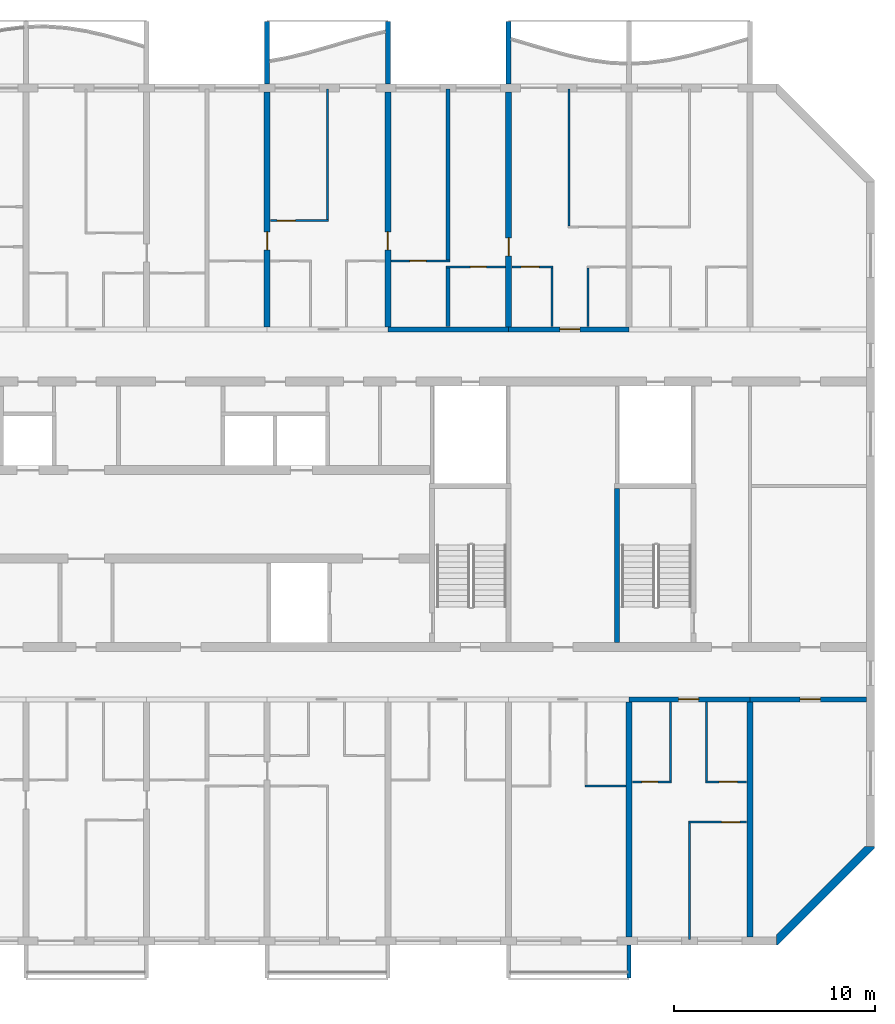
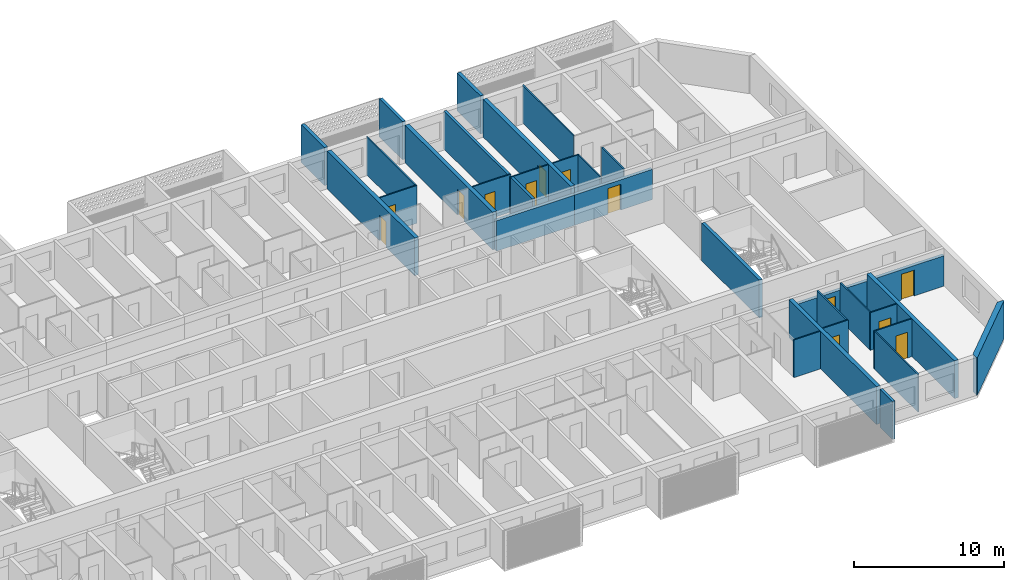
# One storey, part 11 of 32: 32 walls, 13 doors, 13 openings.
"""IFC4 building model written with IfcOpenShell, lengths in metres."""

from ifc_helpers import new_model, si_unit, direction, frame, frame_2d, origin, place, context, subcontext, project, spatial, polyline, rectangle, outline, extrude, source, transform, mapped, material, layer, layer_set, type_object, element, fill, save


model = new_model("IFC4")

# Units and contexts
model_context = context("Model", 3, precision=1e-05, world=origin(), true_north=direction((0.0, 1.0)))
body_context = subcontext(model_context, "Body", "Model", "MODEL_VIEW")
ifc_project = project(units=[si_unit("LENGTHUNIT", "METRE"), si_unit("AREAUNIT", "SQUARE_METRE"), si_unit("VOLUMEUNIT", "CUBIC_METRE"), si_unit("PLANEANGLEUNIT", "RADIAN"), si_unit("MASSUNIT", "GRAM", prefix="KILO")], contexts=[model_context])

# Site, building, storey
site_placement = place(None, origin())
site = spatial("IfcSite", under=ifc_project, at=site_placement, CompositionType="ELEMENT")
building_placement = place(site_placement, origin())
building = spatial("IfcBuilding", under=site, at=building_placement, Name="Poui Terraces", CompositionType="ELEMENT")
storey_placement = place(building_placement, frame((0.0, 0.0, 152.10009765625)))
storey = spatial("IfcBuildingStorey", under=building, at=storey_placement, Name="L42", CompositionType="ELEMENT", Elevation=152.10009765625)

# Wall, opening, door
ifc_material_1 = material(Name="Concrete 65 MPa", Category="concrete")
ifc_layer_1 = layer(ifc_material_1, 0.25)
ifc_layer_set_1 = layer_set([ifc_layer_1], Name="Concrete 65 MPa")
wall_type_1 = type_object("IfcWallType", Name="CORRIDOR WALL 250 65MPa", PredefinedType="SHEAR", material=ifc_layer_set_1)
wall_1_placement = place(storey_placement, frame((78.0, 12.0, 0.0), z_axis=(0.0, 0.0, 1.0), x_axis=(1.0, 0.0, 0.0)))
wall_1 = element("IfcWall", 1, at=wall_1_placement, inside=storey, type_object=wall_type_1, Name="CORRIDOR WALL LINE B BAY 12", PredefinedType="SHEAR", context=body_context, shape_type="SweptSolid", body=[
    extrude(rectangle(XDim=6.0, YDim=0.25, at=frame_2d((3.0, 0.0))), origin(), (0.0, 0.0, 1.0), 2.469970703125),
])
opening_1_placement = place(wall_1_placement, frame((2.449951171875, 0.0, 0.0)))
opening_1 = element("IfcOpeningElement", 2, at=opening_1_placement, cuts=wall_1, Name="Opening FD30S", PredefinedType="OPENING", context=body_context, shape_type="SweptSolid", body=[
    extrude(rectangle(XDim=1.0, YDim=2.10009765625, at=frame_2d((0.5, 1.050048828125))), frame((0.0, 0.135009765625, 0.0), z_axis=(0.0, -1.0, 0.0), x_axis=(1.0, 0.0, 0.0)), (0.0, 0.0, 1.0), 0.27001953125),
])
ifc_material_2 = material(Name="Steel fire door", Category="steel")
door_type_1 = type_object("IfcDoorType", Name="FLAT ENTRANCE DOOR 1000 X 2100", OperationType="NOTDEFINED", PredefinedType="DOOR", material=ifc_material_2)
door_1_placement = place(opening_1_placement, frame((1.0, 0.0, 0.0), z_axis=(0.0, 0.0, 1.0), x_axis=(-1.0, 0.0, 0.0)))
door_1 = element("IfcDoor", 3, at=door_1_placement, inside=storey, type_object=door_type_1, Name="FLAT ENTRANCE DOOR 115", OperationType="SINGLE_SWING_RIGHT", OverallHeight=2.10009765625, OverallWidth=1.0, PredefinedType="DOOR", context=body_context, shape_type="SweptSolid", body=[
    extrude(rectangle(XDim=1.0, YDim=2.10009765625, at=frame_2d((0.5, 1.050048828125))), frame((0.0, 0.02490234375, 0.0), z_axis=(0.0, -1.0, 0.0), x_axis=(1.0, 0.0, 0.0)), (0.0, 0.0, 1.0), 0.050048828125),
])
fill(opening_1, door_1)

wall_2_placement = place(storey_placement, frame((84.0, 12.0, 0.0), z_axis=(0.0, 0.0, 1.0), x_axis=(1.0, 0.0, 0.0)))
wall_2 = element("IfcWall", 4, at=wall_2_placement, inside=storey, type_object=wall_type_1, Name="CORRIDOR WALL LINE B BAY 13", PredefinedType="SHEAR", context=body_context, shape_type="SweptSolid", body=[
    extrude(rectangle(XDim=5.800048828125, YDim=0.25, at=frame_2d((2.89990234375, 0.0))), origin(), (0.0, 0.0, 1.0), 2.469970703125),
])
opening_2_placement = place(wall_2_placement, frame((2.5, 0.0, 0.0)))
opening_2 = element("IfcOpeningElement", 5, at=opening_2_placement, cuts=wall_2, Name="Opening D100", PredefinedType="OPENING", context=body_context, shape_type="SweptSolid", body=[
    extrude(rectangle(XDim=1.0, YDim=2.10009765625, at=frame_2d((0.5, 1.050048828125))), frame((0.0, 0.135009765625, 0.0), z_axis=(0.0, -1.0, 0.0), x_axis=(1.0, 0.0, 0.0)), (0.0, 0.0, 1.0), 0.27001953125),
])
ifc_material_3 = material(Name="Solid core timber door", Category="wood")
door_type_2 = type_object("IfcDoorType", Name="ACCESSIBLE INTERNAL DOOR 1000 X 2100", OperationType="NOTDEFINED", PredefinedType="DOOR", material=ifc_material_3)
door_2_placement = place(opening_2_placement, frame((1.0, 0.0, 0.0), z_axis=(0.0, 0.0, 1.0), x_axis=(-1.0, 0.0, 0.0)))
door_2 = element("IfcDoor", 6, at=door_2_placement, inside=storey, type_object=door_type_2, Name="ACCESSIBLE INTERNAL DOOR 118", OperationType="SINGLE_SWING_RIGHT", OverallHeight=2.10009765625, OverallWidth=1.0, PredefinedType="DOOR", context=body_context, shape_type="SweptSolid", body=[
    extrude(rectangle(XDim=1.0, YDim=2.10009765625, at=frame_2d((0.5, 1.050048828125))), frame((0.0, 0.02490234375, 0.0), z_axis=(0.0, -1.0, 0.0), x_axis=(1.0, 0.0, 0.0)), (0.0, 0.0, 1.0), 0.050048828125),
])
fill(opening_2, door_2)

# Wall
wall_3_placement = place(storey_placement, frame((66.0, 30.39990234375, 0.0), z_axis=(0.0, 0.0, 1.0), x_axis=(1.0, 0.0, 0.0)))
element("IfcWall", 7, at=wall_3_placement, inside=storey, type_object=wall_type_1, Name="CORRIDOR WALL LINE E BAY 10", PredefinedType="SHEAR", context=body_context, shape_type="SweptSolid", body=[
    extrude(rectangle(XDim=6.0, YDim=0.25, at=frame_2d((3.0, 0.0))), origin(), (0.0, 0.0, 1.0), 2.469970703125),
])

# Wall, opening, door
wall_4_placement = place(storey_placement, frame((72.0, 30.39990234375, 0.0), z_axis=(0.0, 0.0, 1.0), x_axis=(1.0, 0.0, 0.0)))
wall_4 = element("IfcWall", 8, at=wall_4_placement, inside=storey, type_object=wall_type_1, Name="CORRIDOR WALL LINE E BAY 11", PredefinedType="SHEAR", context=body_context, shape_type="SweptSolid", body=[
    extrude(rectangle(XDim=6.0, YDim=0.25, at=frame_2d((3.0, 0.0))), origin(), (0.0, 0.0, 1.0), 2.469970703125),
])
opening_3_placement = place(wall_4_placement, frame((2.550048828125, 0.0, 0.0)))
opening_3 = element("IfcOpeningElement", 9, at=opening_3_placement, cuts=wall_4, Name="Opening FD30S", PredefinedType="OPENING", context=body_context, shape_type="SweptSolid", body=[
    extrude(rectangle(XDim=1.0, YDim=2.10009765625, at=frame_2d((0.5, 1.050048828125))), frame((0.0, 0.135009765625, 0.0), z_axis=(0.0, -1.0, 0.0), x_axis=(1.0, 0.0, 0.0)), (0.0, 0.0, 1.0), 0.27001953125),
])
door_3_placement = place(opening_3_placement, origin())
door_3 = element("IfcDoor", 10, at=door_3_placement, inside=storey, type_object=door_type_1, Name="FLAT ENTRANCE DOOR 066", OperationType="SINGLE_SWING_RIGHT", OverallHeight=2.10009765625, OverallWidth=1.0, PredefinedType="DOOR", context=body_context, shape_type="SweptSolid", body=[
    extrude(rectangle(XDim=1.0, YDim=2.10009765625, at=frame_2d((0.5, 1.050048828125))), frame((0.0, 0.02490234375, 0.0), z_axis=(0.0, -1.0, 0.0), x_axis=(1.0, 0.0, 0.0)), (0.0, 0.0, 1.0), 0.050048828125),
])
fill(opening_3, door_3)

ifc_layer_2 = layer(ifc_material_1, 0.300048828125)
ifc_layer_set_2 = layer_set([ifc_layer_2], Name="Concrete 65 MPa")
wall_type_2 = type_object("IfcWallType", Name="CROSS WALL 300 65MPa", PredefinedType="SHEAR", material=ifc_layer_set_2)
wall_5_placement = place(storey_placement, frame((60.0, 30.52490234375, 0.0), z_axis=(0.0, 0.0, 1.0), x_axis=(0.0, 1.0, 0.0)))
wall_5 = element("IfcWall", 11, at=wall_5_placement, inside=storey, type_object=wall_type_2, Name="CROSS WALL LINE 11 NORTH", PredefinedType="SHEAR", context=body_context, shape_type="SweptSolid", body=[
    extrude(rectangle(XDim=11.675048828125, YDim=0.300048828125, at=frame_2d((5.83740234375, 0.0))), origin(), (0.0, 0.0, 1.0), 3.06982421875),
])
opening_4_placement = place(wall_5_placement, frame((3.824951171875, 0.0, 0.0)))
opening_4 = element("IfcOpeningElement", 12, at=opening_4_placement, cuts=wall_5, Name="Opening D90", PredefinedType="OPENING", context=body_context, shape_type="SweptSolid", body=[
    extrude(rectangle(XDim=0.89990234375, YDim=2.10009765625, at=frame_2d((0.449951171875, 1.050048828125))), frame((0.0, 0.16015625, 0.0), z_axis=(0.0, -1.0, 0.0), x_axis=(1.0, 0.0, 0.0)), (0.0, 0.0, 1.0), 0.320068359375),
])
door_type_3 = type_object("IfcDoorType", Name="INTERNAL DOOR 900 X 2100", OperationType="NOTDEFINED", PredefinedType="DOOR", material=ifc_material_3)
door_4_placement = place(opening_4_placement, origin())
door_4 = element("IfcDoor", 13, at=door_4_placement, inside=storey, type_object=door_type_3, Name="INTERNAL DOOR 057", OperationType="SINGLE_SWING_LEFT", OverallHeight=2.10009765625, OverallWidth=0.89990234375, PredefinedType="DOOR", context=body_context, shape_type="SweptSolid", body=[
    extrude(rectangle(XDim=0.89990234375, YDim=2.10009765625, at=frame_2d((0.449951171875, 1.050048828125))), frame((0.0, 0.02490234375, 0.0), z_axis=(0.0, -1.0, 0.0), x_axis=(1.0, 0.0, 0.0)), (0.0, 0.0, 1.0), 0.050048828125),
])
fill(opening_4, door_4)

wall_6_placement = place(storey_placement, frame((66.0, 30.52490234375, 0.0), z_axis=(0.0, 0.0, 1.0), x_axis=(0.0, 1.0, 0.0)))
wall_6 = element("IfcWall", 14, at=wall_6_placement, inside=storey, type_object=wall_type_2, Name="CROSS WALL LINE 12 NORTH", PredefinedType="SHEAR", context=body_context, shape_type="SweptSolid", body=[
    extrude(rectangle(XDim=11.675048828125, YDim=0.300048828125, at=frame_2d((5.83740234375, 0.0))), origin(), (0.0, 0.0, 1.0), 3.06982421875),
])
opening_5_placement = place(wall_6_placement, frame((3.824951171875, 0.0, 0.0)))
opening_5 = element("IfcOpeningElement", 15, at=opening_5_placement, cuts=wall_6, Name="Opening D90", PredefinedType="OPENING", context=body_context, shape_type="SweptSolid", body=[
    extrude(rectangle(XDim=0.89990234375, YDim=2.10009765625, at=frame_2d((0.449951171875, 1.050048828125))), frame((0.0, 0.16015625, 0.0), z_axis=(0.0, -1.0, 0.0), x_axis=(1.0, 0.0, 0.0)), (0.0, 0.0, 1.0), 0.320068359375),
])
door_5_placement = place(opening_5_placement, frame((0.89990234375, 0.0, 0.0), z_axis=(0.0, 0.0, 1.0), x_axis=(-1.0, 0.0, 0.0)))
door_5 = element("IfcDoor", 16, at=door_5_placement, inside=storey, type_object=door_type_3, Name="INTERNAL DOOR 062", OperationType="SINGLE_SWING_RIGHT", OverallHeight=2.10009765625, OverallWidth=0.89990234375, PredefinedType="DOOR", context=body_context, shape_type="SweptSolid", body=[
    extrude(rectangle(XDim=0.89990234375, YDim=2.10009765625, at=frame_2d((0.449951171875, 1.050048828125))), frame((0.0, 0.02490234375, 0.0), z_axis=(0.0, -1.0, 0.0), x_axis=(1.0, 0.0, 0.0)), (0.0, 0.0, 1.0), 0.050048828125),
])
fill(opening_5, door_5)

wall_7_placement = place(storey_placement, frame((72.0, 30.52490234375, 0.0), z_axis=(0.0, 0.0, 1.0), x_axis=(0.0, 1.0, 0.0)))
wall_7 = element("IfcWall", 17, at=wall_7_placement, inside=storey, type_object=wall_type_2, Name="CROSS WALL LINE 13 NORTH", PredefinedType="SHEAR", context=body_context, shape_type="SweptSolid", body=[
    extrude(rectangle(XDim=11.675048828125, YDim=0.300048828125, at=frame_2d((5.83740234375, 0.0))), origin(), (0.0, 0.0, 1.0), 3.06982421875),
])
opening_6_placement = place(wall_7_placement, frame((3.52490234375, 0.0, 0.0)))
opening_6 = element("IfcOpeningElement", 18, at=opening_6_placement, cuts=wall_7, Name="Opening D90", PredefinedType="OPENING", context=body_context, shape_type="SweptSolid", body=[
    extrude(rectangle(XDim=0.89990234375, YDim=2.10009765625, at=frame_2d((0.449951171875, 1.050048828125))), frame((0.0, 0.16015625, 0.0), z_axis=(0.0, -1.0, 0.0), x_axis=(1.0, 0.0, 0.0)), (0.0, 0.0, 1.0), 0.320068359375),
])
door_6_placement = place(opening_6_placement, origin())
door_6 = element("IfcDoor", 19, at=door_6_placement, inside=storey, type_object=door_type_3, Name="INTERNAL DOOR 064", OperationType="SINGLE_SWING_LEFT", OverallHeight=2.10009765625, OverallWidth=0.89990234375, PredefinedType="DOOR", context=body_context, shape_type="SweptSolid", body=[
    extrude(rectangle(XDim=0.89990234375, YDim=2.10009765625, at=frame_2d((0.449951171875, 1.050048828125))), frame((0.0, 0.02490234375, 0.0), z_axis=(0.0, -1.0, 0.0), x_axis=(1.0, 0.0, 0.0)), (0.0, 0.0, 1.0), 0.050048828125),
])
fill(opening_6, door_6)

# Walls
for number, where, z_axis, x_axis, name in (
    (20, (78.0, 0.199951171875, 0.0), (0.0, 0.0, 1.0), (0.0, 1.0, 0.0), "CROSS WALL LINE 14 SOUTH"),
    (21, (84.0, 0.199951171875, 0.0), (0.0, 0.0, 1.0), (0.0, 1.0, 0.0), "CROSS WALL LINE 15 SOUTH"),
):
    element("IfcWall", number, at=place(storey_placement, frame(where, z_axis=z_axis, x_axis=x_axis)), inside=storey, type_object=wall_type_2, Name=name, PredefinedType="SHEAR", context=body_context, shape_type="SweptSolid", body=[
        extrude(rectangle(XDim=11.675048828125, YDim=0.300048828125, at=frame_2d((5.83740234375, 0.0))), origin(), (0.0, 0.0, 1.0), 3.06982421875),
    ])

# Wall, opening, door
ifc_material_4 = material(Name="Plasterboard partition")
ifc_layer_3 = layer(ifc_material_4, 0.10009765625)
ifc_layer_set_3 = layer_set([ifc_layer_3], Name="Plasterboard partition")
wall_type_3 = type_object("IfcWallType", Name="FLAT PARTITION 100", PredefinedType="PARTITIONING", material=ifc_layer_set_3)
wall_8_placement = place(storey_placement, frame((80.949951171875, 5.89990234375, 0.0), z_axis=(0.0, 0.0, 1.0), x_axis=(1.0, 0.0, 0.0)))
wall_8 = element("IfcWall", 22, at=wall_8_placement, inside=storey, type_object=wall_type_3, Name="FLAT PARTITION 100", PredefinedType="PARTITIONING", context=body_context, shape_type="SweptSolid", body=[
    extrude(rectangle(XDim=2.89013671875, YDim=0.10009765625, at=frame_2d((1.445068359375, 0.0))), origin(), (0.0, 0.0, 1.0), 3.06982421875),
])
opening_7_placement = place(wall_8_placement, frame((1.64990234375, 0.0, 0.0)))
opening_7 = element("IfcOpeningElement", 23, at=opening_7_placement, cuts=wall_8, Name="Opening D90", PredefinedType="OPENING", context=body_context, shape_type="SweptSolid", body=[
    extrude(rectangle(XDim=0.89990234375, YDim=2.10009765625, at=frame_2d((0.449951171875, 1.050048828125))), frame((0.0, 0.06005859375, 0.0), z_axis=(0.0, -1.0, 0.0), x_axis=(1.0, 0.0, 0.0)), (0.0, 0.0, 1.0), 0.1201171875),
])
door_7_placement = place(opening_7_placement, origin())
door_7 = element("IfcDoor", 24, at=door_7_placement, inside=storey, type_object=door_type_3, Name="INTERNAL DOOR 117", OperationType="SINGLE_SWING_LEFT", OverallHeight=2.10009765625, OverallWidth=0.89990234375, PredefinedType="DOOR", context=body_context, shape_type="SweptSolid", body=[
    extrude(rectangle(XDim=0.89990234375, YDim=2.10009765625, at=frame_2d((0.449951171875, 1.050048828125))), frame((0.0, 0.02490234375, 0.0), z_axis=(0.0, -1.0, 0.0), x_axis=(1.0, 0.0, 0.0)), (0.0, 0.0, 1.0), 0.050048828125),
])
fill(opening_7, door_7)

# Wall
wall_9_placement = place(storey_placement, frame((75.800048828125, 7.699951171875, 0.0), z_axis=(0.0, 0.0, 1.0), x_axis=(1.0, 0.0, 0.0)))
element("IfcWall", 25, at=wall_9_placement, inside=storey, type_object=wall_type_3, Name="FLAT PARTITION 100", PredefinedType="PARTITIONING", context=body_context, shape_type="SweptSolid", body=[
    extrude(rectangle(XDim=2.0400390625, YDim=0.10009765625, at=frame_2d((1.02001953125, 0.0))), origin(), (0.0, 0.0, 1.0), 3.06982421875),
])

# Wall, opening, door
wall_10_placement = place(storey_placement, frame((78.159912109375, 7.89990234375, 0.0), z_axis=(0.0, 0.0, 1.0), x_axis=(1.0, 0.0, 0.0)))
wall_10 = element("IfcWall", 26, at=wall_10_placement, inside=storey, type_object=wall_type_3, Name="FLAT PARTITION 100", PredefinedType="PARTITIONING", context=body_context, shape_type="SweptSolid", body=[
    extrude(rectangle(XDim=1.940185546875, YDim=0.10009765625, at=frame_2d((0.97021484375, 0.0))), origin(), (0.0, 0.0, 1.0), 3.06982421875),
])
opening_8_placement = place(wall_10_placement, frame((0.465087890625, 0.0, 0.0)))
opening_8 = element("IfcOpeningElement", 27, at=opening_8_placement, cuts=wall_10, Name="Opening D80", PredefinedType="OPENING", context=body_context, shape_type="SweptSolid", body=[
    extrude(rectangle(XDim=0.800048828125, YDim=2.10009765625, at=frame_2d((0.39990234375, 1.050048828125))), frame((0.0, 0.06005859375, 0.0), z_axis=(0.0, -1.0, 0.0), x_axis=(1.0, 0.0, 0.0)), (0.0, 0.0, 1.0), 0.1201171875),
])
door_type_4 = type_object("IfcDoorType", Name="BATHROOM, LAUNDRY AND STORE DOOR 800 X 2100", OperationType="NOTDEFINED", PredefinedType="DOOR", material=ifc_material_3)
door_8_placement = place(opening_8_placement, origin())
door_8 = element("IfcDoor", 28, at=door_8_placement, inside=storey, type_object=door_type_4, Name="BATHROOM, LAUNDRY AND STORE DOOR 114", OperationType="SINGLE_SWING_LEFT", OverallHeight=2.10009765625, OverallWidth=0.800048828125, PredefinedType="DOOR", context=body_context, shape_type="SweptSolid", body=[
    extrude(rectangle(XDim=0.800048828125, YDim=2.10009765625, at=frame_2d((0.39990234375, 1.050048828125))), frame((0.0, 0.02490234375, 0.0), z_axis=(0.0, -1.0, 0.0), x_axis=(1.0, 0.0, 0.0)), (0.0, 0.0, 1.0), 0.050048828125),
])
fill(opening_8, door_8)

wall_11_placement = place(storey_placement, frame((81.800048828125, 7.89990234375, 0.0), z_axis=(0.0, 0.0, 1.0), x_axis=(1.0, 0.0, 0.0)))
wall_11 = element("IfcWall", 29, at=wall_11_placement, inside=storey, type_object=wall_type_3, Name="FLAT PARTITION 100", PredefinedType="PARTITIONING", context=body_context, shape_type="SweptSolid", body=[
    extrude(rectangle(XDim=2.0400390625, YDim=0.10009765625, at=frame_2d((1.02001953125, 0.0))), origin(), (0.0, 0.0, 1.0), 3.06982421875),
])
opening_9_placement = place(wall_11_placement, frame((0.675048828125, 0.0, 0.0)))
opening_9 = element("IfcOpeningElement", 30, at=opening_9_placement, cuts=wall_11, Name="Opening D90", PredefinedType="OPENING", context=body_context, shape_type="SweptSolid", body=[
    extrude(rectangle(XDim=0.89990234375, YDim=2.10009765625, at=frame_2d((0.449951171875, 1.050048828125))), frame((0.0, 0.06005859375, 0.0), z_axis=(0.0, -1.0, 0.0), x_axis=(1.0, 0.0, 0.0)), (0.0, 0.0, 1.0), 0.1201171875),
])
door_9_placement = place(opening_9_placement, origin())
door_9 = element("IfcDoor", 31, at=door_9_placement, inside=storey, type_object=door_type_3, Name="INTERNAL DOOR 116", OperationType="SINGLE_SWING_RIGHT", OverallHeight=2.10009765625, OverallWidth=0.89990234375, PredefinedType="DOOR", context=body_context, shape_type="SweptSolid", body=[
    extrude(rectangle(XDim=0.89990234375, YDim=2.10009765625, at=frame_2d((0.449951171875, 1.050048828125))), frame((0.0, 0.02490234375, 0.0), z_axis=(0.0, -1.0, 0.0), x_axis=(1.0, 0.0, 0.0)), (0.0, 0.0, 1.0), 0.050048828125),
])
fill(opening_9, door_9)

wall_12_placement = place(storey_placement, frame((68.89990234375, 33.5, 0.0), z_axis=(0.0, 0.0, 1.0), x_axis=(1.0, 0.0, 0.0)))
wall_12 = element("IfcWall", 32, at=wall_12_placement, inside=storey, type_object=wall_type_3, Name="FLAT PARTITION 100", PredefinedType="PARTITIONING", context=body_context, shape_type="SweptSolid", body=[
    extrude(rectangle(XDim=2.940185546875, YDim=0.10009765625, at=frame_2d((1.47021484375, 0.0))), origin(), (0.0, 0.0, 1.0), 3.06982421875),
])
opening_10_placement = place(wall_12_placement, frame((1.199951171875, 0.0, 0.0)))
opening_10 = element("IfcOpeningElement", 33, at=opening_10_placement, cuts=wall_12, Name="Opening D80", PredefinedType="OPENING", context=body_context, shape_type="SweptSolid", body=[
    extrude(rectangle(XDim=0.800048828125, YDim=2.10009765625, at=frame_2d((0.39990234375, 1.050048828125))), frame((0.0, 0.06005859375, 0.0), z_axis=(0.0, -1.0, 0.0), x_axis=(1.0, 0.0, 0.0)), (0.0, 0.0, 1.0), 0.1201171875),
])
door_10_placement = place(opening_10_placement, frame((0.800048828125, 0.0, 0.0), z_axis=(0.0, 0.0, 1.0), x_axis=(-1.0, 0.0, 0.0)))
door_10 = element("IfcDoor", 34, at=door_10_placement, inside=storey, type_object=door_type_4, Name="BATHROOM, LAUNDRY AND STORE DOOR 063", OperationType="SINGLE_SWING_LEFT", OverallHeight=2.10009765625, OverallWidth=0.800048828125, PredefinedType="DOOR", context=body_context, shape_type="SweptSolid", body=[
    extrude(rectangle(XDim=0.800048828125, YDim=2.10009765625, at=frame_2d((0.39990234375, 1.050048828125))), frame((0.0, 0.02490234375, 0.0), z_axis=(0.0, -1.0, 0.0), x_axis=(1.0, 0.0, 0.0)), (0.0, 0.0, 1.0), 0.050048828125),
])
fill(opening_10, door_10)

wall_13_placement = place(storey_placement, frame((72.159912109375, 33.5, 0.0), z_axis=(0.0, 0.0, 1.0), x_axis=(1.0, 0.0, 0.0)))
wall_13 = element("IfcWall", 35, at=wall_13_placement, inside=storey, type_object=wall_type_3, Name="FLAT PARTITION 100", PredefinedType="PARTITIONING", context=body_context, shape_type="SweptSolid", body=[
    extrude(rectangle(XDim=2.0400390625, YDim=0.10009765625, at=frame_2d((1.02001953125, 0.0))), origin(), (0.0, 0.0, 1.0), 3.06982421875),
])
opening_11_placement = place(wall_13_placement, frame((0.465087890625, 0.0, 0.0)))
opening_11 = element("IfcOpeningElement", 36, at=opening_11_placement, cuts=wall_13, Name="Opening D90", PredefinedType="OPENING", context=body_context, shape_type="SweptSolid", body=[
    extrude(rectangle(XDim=0.89990234375, YDim=2.10009765625, at=frame_2d((0.449951171875, 1.050048828125))), frame((0.0, 0.06005859375, 0.0), z_axis=(0.0, -1.0, 0.0), x_axis=(1.0, 0.0, 0.0)), (0.0, 0.0, 1.0), 0.1201171875),
])
door_11_placement = place(opening_11_placement, frame((0.89990234375, 0.0, 0.0), z_axis=(0.0, 0.0, 1.0), x_axis=(-1.0, 0.0, 0.0)))
door_11 = element("IfcDoor", 37, at=door_11_placement, inside=storey, type_object=door_type_3, Name="INTERNAL DOOR 065", OperationType="SINGLE_SWING_LEFT", OverallHeight=2.10009765625, OverallWidth=0.89990234375, PredefinedType="DOOR", context=body_context, shape_type="SweptSolid", body=[
    extrude(rectangle(XDim=0.89990234375, YDim=2.10009765625, at=frame_2d((0.449951171875, 1.050048828125))), frame((0.0, 0.02490234375, 0.0), z_axis=(0.0, -1.0, 0.0), x_axis=(1.0, 0.0, 0.0)), (0.0, 0.0, 1.0), 0.050048828125),
])
fill(opening_11, door_11)

wall_14_placement = place(storey_placement, frame((66.159912109375, 33.800048828125, 0.0), z_axis=(0.0, 0.0, 1.0), x_axis=(1.0, 0.0, 0.0)))
wall_14 = element("IfcWall", 38, at=wall_14_placement, inside=storey, type_object=wall_type_3, Name="FLAT PARTITION 100", PredefinedType="PARTITIONING", context=body_context, shape_type="SweptSolid", body=[
    extrude(rectangle(XDim=2.940185546875, YDim=0.10009765625, at=frame_2d((1.47021484375, 0.0))), origin(), (0.0, 0.0, 1.0), 3.06982421875),
])
opening_12_placement = place(wall_14_placement, frame((0.93994140625, 0.0, 0.0)))
opening_12 = element("IfcOpeningElement", 39, at=opening_12_placement, cuts=wall_14, Name="Opening D80", PredefinedType="OPENING", context=body_context, shape_type="SweptSolid", body=[
    extrude(rectangle(XDim=0.800048828125, YDim=2.10009765625, at=frame_2d((0.39990234375, 1.050048828125))), frame((0.0, 0.06005859375, 0.0), z_axis=(0.0, -1.0, 0.0), x_axis=(1.0, 0.0, 0.0)), (0.0, 0.0, 1.0), 0.1201171875),
])
door_12_placement = place(opening_12_placement, frame((0.800048828125, 0.0, 0.0), z_axis=(0.0, 0.0, 1.0), x_axis=(-1.0, 0.0, 0.0)))
door_12 = element("IfcDoor", 40, at=door_12_placement, inside=storey, type_object=door_type_4, Name="BATHROOM, LAUNDRY AND STORE DOOR 056", OperationType="SINGLE_SWING_RIGHT", OverallHeight=2.10009765625, OverallWidth=0.800048828125, PredefinedType="DOOR", context=body_context, shape_type="SweptSolid", body=[
    extrude(rectangle(XDim=0.800048828125, YDim=2.10009765625, at=frame_2d((0.39990234375, 1.050048828125))), frame((0.0, 0.02490234375, 0.0), z_axis=(0.0, -1.0, 0.0), x_axis=(1.0, 0.0, 0.0)), (0.0, 0.0, 1.0), 0.050048828125),
])
fill(opening_12, door_12)

wall_15_placement = place(storey_placement, frame((60.159912109375, 35.800048828125, 0.0), z_axis=(0.0, 0.0, 1.0), x_axis=(1.0, 0.0, 0.0)))
wall_15 = element("IfcWall", 41, at=wall_15_placement, inside=storey, type_object=wall_type_3, Name="FLAT PARTITION 100", PredefinedType="PARTITIONING", context=body_context, shape_type="SweptSolid", body=[
    extrude(rectangle(XDim=2.89013671875, YDim=0.10009765625, at=frame_2d((1.445068359375, 0.0))), origin(), (0.0, 0.0, 1.0), 3.06982421875),
])
opening_13_placement = place(wall_15_placement, frame((0.340087890625, 0.0, 0.0)))
opening_13 = element("IfcOpeningElement", 42, at=opening_13_placement, cuts=wall_15, Name="Opening D90", PredefinedType="OPENING", context=body_context, shape_type="SweptSolid", body=[
    extrude(rectangle(XDim=0.89990234375, YDim=2.10009765625, at=frame_2d((0.449951171875, 1.050048828125))), frame((0.0, 0.06005859375, 0.0), z_axis=(0.0, -1.0, 0.0), x_axis=(1.0, 0.0, 0.0)), (0.0, 0.0, 1.0), 0.1201171875),
])
door_13_placement = place(opening_13_placement, frame((0.89990234375, 0.0, 0.0), z_axis=(0.0, 0.0, 1.0), x_axis=(-1.0, 0.0, 0.0)))
door_13 = element("IfcDoor", 43, at=door_13_placement, inside=storey, type_object=door_type_3, Name="INTERNAL DOOR 058", OperationType="SINGLE_SWING_LEFT", OverallHeight=2.10009765625, OverallWidth=0.89990234375, PredefinedType="DOOR", context=body_context, shape_type="SweptSolid", body=[
    extrude(rectangle(XDim=0.89990234375, YDim=2.10009765625, at=frame_2d((0.449951171875, 1.050048828125))), frame((0.0, 0.02490234375, 0.0), z_axis=(0.0, -1.0, 0.0), x_axis=(1.0, 0.0, 0.0)), (0.0, 0.0, 1.0), 0.050048828125),
])
fill(opening_13, door_13)

# Walls
wall_16_placement = place(storey_placement, frame((63.0, 35.85009765625, 0.0), z_axis=(0.0, 0.0, 1.0), x_axis=(0.0, 1.0, 0.0)))
element("IfcWall", 44, at=wall_16_placement, inside=storey, type_object=wall_type_3, Name="FLAT PARTITION 100", PredefinedType="PARTITIONING", context=body_context, shape_type="SweptSolid", body=[
    extrude(rectangle(XDim=6.489990234375, YDim=0.10009765625, at=frame_2d((3.2451171875, 0.0))), origin(), (0.0, 0.0, 1.0), 3.06982421875),
])
wall_17_placement = place(storey_placement, frame((74.14990234375, 30.534912109375, 0.0), z_axis=(0.0, 0.0, 1.0), x_axis=(0.0, 1.0, 0.0)))
element("IfcWall", 45, at=wall_17_placement, inside=storey, type_object=wall_type_3, Name="FLAT PARTITION 100", PredefinedType="PARTITIONING", context=body_context, shape_type="SweptSolid", body=[
    extrude(rectangle(XDim=2.9150390625, YDim=0.10009765625, at=frame_2d((1.45751953125, 0.0))), origin(), (0.0, 0.0, 1.0), 3.06982421875),
])
wall_18_placement = place(storey_placement, frame((75.0, 35.550048828125, 0.0), z_axis=(0.0, 0.0, 1.0), x_axis=(0.0, 1.0, 0.0)))
element("IfcWall", 46, at=wall_18_placement, inside=storey, type_object=wall_type_3, Name="FLAT PARTITION 100", PredefinedType="PARTITIONING", context=body_context, shape_type="SweptSolid", body=[
    extrude(rectangle(XDim=6.7900390625, YDim=0.10009765625, at=frame_2d((3.39501953125, 0.0))), origin(), (0.0, 0.0, 1.0), 3.06982421875),
])
wall_19_placement = place(storey_placement, frame((75.949951171875, 30.534912109375, 0.0), z_axis=(0.0, 0.0, 1.0), x_axis=(0.0, 1.0, 0.0)))
element("IfcWall", 47, at=wall_19_placement, inside=storey, type_object=wall_type_3, Name="FLAT PARTITION 100", PredefinedType="PARTITIONING", context=body_context, shape_type="SweptSolid", body=[
    extrude(rectangle(XDim=2.9150390625, YDim=0.10009765625, at=frame_2d((1.45751953125, 0.0))), origin(), (0.0, 0.0, 1.0), 3.06982421875),
])
wall_20_placement = place(storey_placement, frame((80.050048828125, 7.949951171875, 0.0), z_axis=(0.0, 0.0, 1.0), x_axis=(0.0, 1.0, 0.0)))
element("IfcWall", 48, at=wall_20_placement, inside=storey, type_object=wall_type_3, Name="FLAT PARTITION 100", PredefinedType="PARTITIONING", context=body_context, shape_type="SweptSolid", body=[
    extrude(rectangle(XDim=3.9150390625, YDim=0.10009765625, at=frame_2d((1.95751953125, 0.0))), origin(), (0.0, 0.0, 1.0), 3.06982421875),
])
wall_21_placement = place(storey_placement, frame((81.0, 0.06005859375, 0.0), z_axis=(0.0, 0.0, 1.0), x_axis=(0.0, 1.0, 0.0)))
element("IfcWall", 49, at=wall_21_placement, inside=storey, type_object=wall_type_3, Name="FLAT PARTITION 100", PredefinedType="PARTITIONING", context=body_context, shape_type="SweptSolid", body=[
    extrude(rectangle(XDim=5.7900390625, YDim=0.10009765625, at=frame_2d((2.89501953125, 0.0))), origin(), (0.0, 0.0, 1.0), 3.06982421875),
])
wall_22_placement = place(storey_placement, frame((81.85009765625, 7.949951171875, 0.0), z_axis=(0.0, 0.0, 1.0), x_axis=(0.0, 1.0, 0.0)))
element("IfcWall", 50, at=wall_22_placement, inside=storey, type_object=wall_type_3, Name="FLAT PARTITION 100", PredefinedType="PARTITIONING", context=body_context, shape_type="SweptSolid", body=[
    extrude(rectangle(XDim=3.9150390625, YDim=0.10009765625, at=frame_2d((1.95751953125, 0.0))), origin(), (0.0, 0.0, 1.0), 3.06982421875),
])
ifc_material_5 = material(Name="Fire-rated masonry wall", Category="masonry")
ifc_layer_4 = layer(ifc_material_5, 0.199951171875)
ifc_layer_set_4 = layer_set([ifc_layer_4], Name="Fire-rated masonry wall")
wall_type_4 = type_object("IfcWallType", Name="FLAT PARTY WALL 200", PredefinedType="PARTITIONING", material=ifc_layer_set_4)
wall_23_placement = place(storey_placement, frame((69.0, 30.534912109375, 0.0), z_axis=(0.0, 0.0, 1.0), x_axis=(0.0, 1.0, 0.0)))
element("IfcWall", 51, at=wall_23_placement, inside=storey, type_object=wall_type_4, Name="FLAT PARTY WALL 200", PredefinedType="PARTITIONING", context=body_context, shape_type="SweptSolid", body=[
    extrude(rectangle(XDim=2.9150390625, YDim=0.199951171875, at=frame_2d((1.45751953125, 0.0))), origin(), (0.0, 0.0, 1.0), 3.06982421875),
])
wall_24_placement = place(storey_placement, frame((69.0, 33.85009765625, 0.0), z_axis=(0.0, 0.0, 1.0), x_axis=(0.0, 1.0, 0.0)))
element("IfcWall", 52, at=wall_24_placement, inside=storey, type_object=wall_type_4, Name="FLAT PARTY WALL 200", PredefinedType="PARTITIONING", context=body_context, shape_type="SweptSolid", body=[
    extrude(rectangle(XDim=8.489990234375, YDim=0.199951171875, at=frame_2d((4.2451171875, 0.0))), origin(), (0.0, 0.0, 1.0), 3.06982421875),
])
ifc_layer_5 = layer(ifc_material_1, 0.25)
ifc_layer_set_5 = layer_set([ifc_layer_5], Name="Concrete 65 MPa")
wall_type_5 = type_object("IfcWallType", Name="STAIR CORE WALL 250 65 MPA", PredefinedType="SOLIDWALL", material=ifc_layer_set_5)
wall_25_placement = place(storey_placement, frame((77.39990234375, 14.824951171875, 0.0), z_axis=(0.0, 0.0, 1.0), x_axis=(0.0, 1.0, 0.0)))
element("IfcWall", 53, at=wall_25_placement, inside=storey, type_object=wall_type_5, Name="STAIR CORE WALL", PredefinedType="SOLIDWALL", context=body_context, shape_type="SweptSolid", body=[
    extrude(rectangle(XDim=7.650146484375, YDim=0.25, at=frame_2d((3.8251953125, 0.0))), origin(), (0.0, 0.0, 1.0), 3.06982421875),
])
ifc_material_6 = material(Name="Precast concrete 40 MPa", Category="concrete")
ifc_layer_6 = layer(ifc_material_6, 0.39990234375)
ifc_layer_set_6 = layer_set([ifc_layer_6], Name="Precast concrete 40 MPa")
wall_type_6 = type_object("IfcWallType", Name="TERRACOTTA CLAD CHAMFER WALL 400", PredefinedType="STANDARD", material=ifc_layer_set_6)
wall_26_placement = place(storey_placement, origin())
element("IfcWall", 54, at=wall_26_placement, inside=storey, type_object=wall_type_6, Name="CHAMFER WALL CH01", PredefinedType="STANDARD", context=body_context, shape_type="SweptSolid", body=[
    extrude(outline(polyline([(85.317138671875, -0.199951171875), (85.39990234375, -0.199951171875), (90.199951171875, 4.60009765625), (90.199951171875, 4.682861328125), (89.71728515625, 4.682861328125), (85.317138671875, 0.28271484375), (85.317138671875, -0.199951171875)])), origin(), (0.0, 0.0, 1.0), 3.06982421875),
])
ifc_layer_7 = layer(ifc_material_6, 0.199951171875)
ifc_layer_set_7 = layer_set([ifc_layer_7], Name="Precast concrete 40 MPa")
wall_type_7 = type_object("IfcWallType", Name="REAR FIN 200", PredefinedType="STANDARD", material=ifc_layer_set_7)
shared_shape_1 = source(origin(), body_context, "Body", "SweptSolid", [
    extrude(outline(polyline([(0.0, 0.0), (0.2001953125, 0.0), (0.2001953125, 1.650146484375), (0.0, 1.650146484375), (0.0, 0.0)])), origin(), (0.0, 0.0, 1.0), 3.099853515625),
])
wall_27_placement = place(storey_placement, frame((77.89990234375, -1.85009765625, 0.0)))
element("IfcWall", 55, at=wall_27_placement, inside=storey, type_object=wall_type_7, Name="REAR FIN", PredefinedType="STANDARD", context=body_context, shape_type="MappedRepresentation", body=[
    mapped(shared_shape_1, transform((0.0, 0.0, 0.0))),
])
ifc_layer_8 = layer(ifc_material_6, 0.25)
ifc_layer_set_8 = layer_set([ifc_layer_8], Name="Precast concrete 40 MPa")
wall_type_8 = type_object("IfcWallType", Name="BALCONY FIN 250", PredefinedType="STANDARD", material=ifc_layer_set_8)
shared_shape_2 = source(origin(), body_context, "Body", "SweptSolid", [
    extrude(outline(polyline([(0.0, 0.0), (0.25, 0.0), (0.25, 3.099853515625), (0.0, 3.099853515625), (0.0, 0.0)])), origin(), (0.0, 0.0, 1.0), 3.099853515625),
])
for number, where, name in (
    (56, (59.875, 42.60009765625, 0.0), "BALCONY FIN"),
    (57, (65.875, 42.60009765625, 0.0), "BALCONY FIN"),
    (58, (71.875, 42.60009765625, 0.0), "BALCONY FIN"),
):
    element("IfcWall", number, at=place(storey_placement, frame(where)), inside=storey, type_object=wall_type_8, Name=name, PredefinedType="STANDARD", context=body_context, shape_type="MappedRepresentation", body=[
        mapped(shared_shape_2, transform((0.0, 0.0, 0.0))),
    ])

save(model, "model.ifc")
